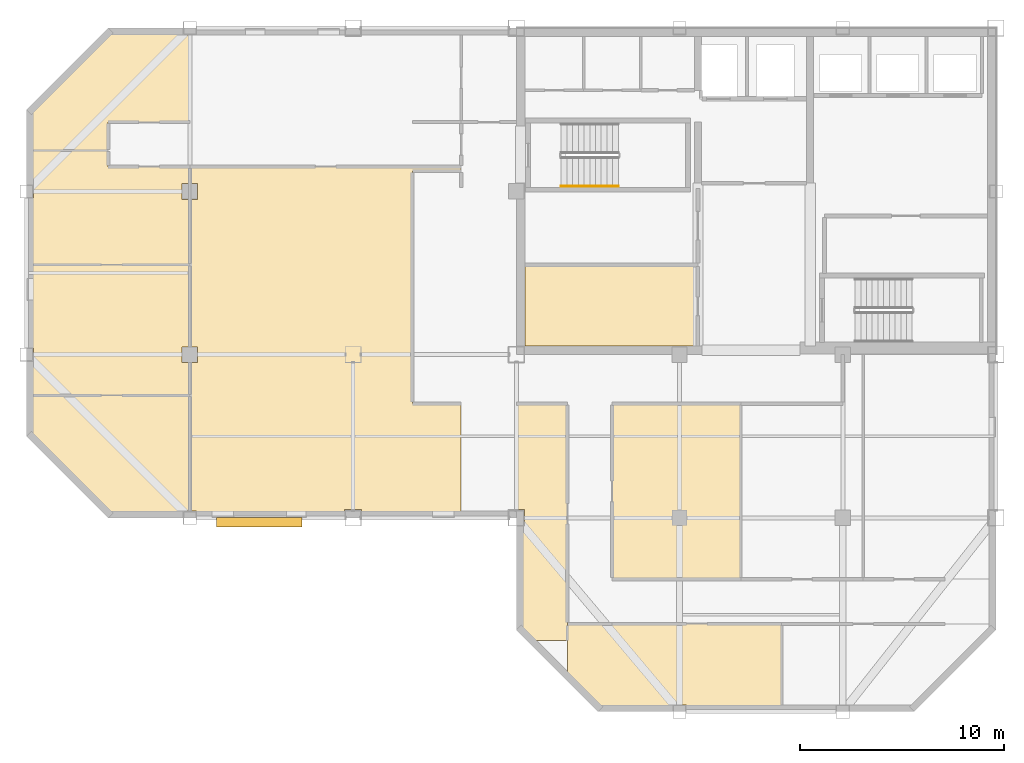
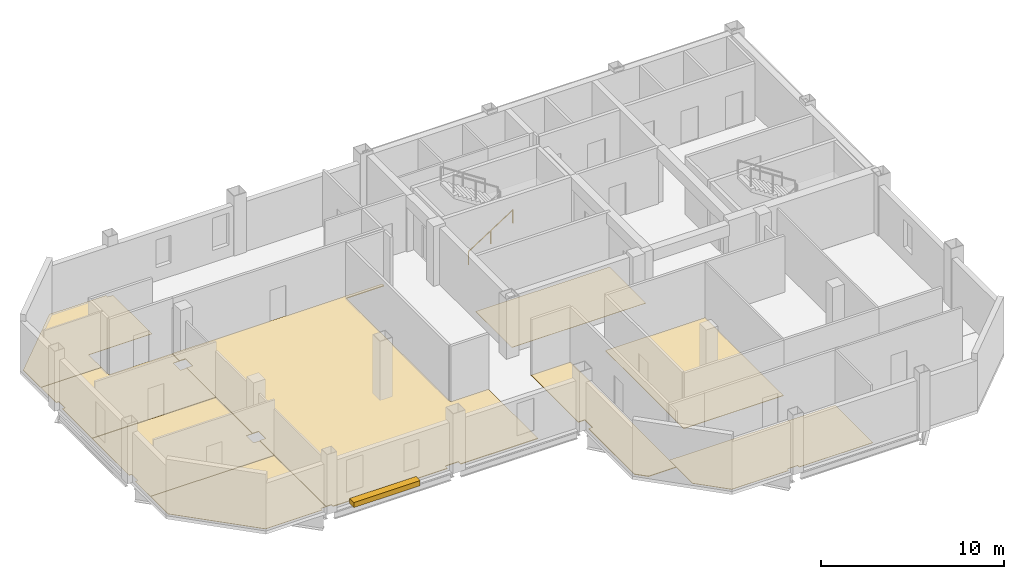
# One storey, part 5 of 7: 9 coverings, 1 railing, 1 shading device.
"""IFC4 building model written with IfcOpenShell, lengths in metres."""

from ifc_helpers import new_model, si_unit, direction, frame, origin, origin_2d, place, context, subcontext, project, spatial, polyline, rectangle, circle, outline, extrude, material, layer, layer_set, type_object, element, save


model = new_model("IFC4")

# Units and contexts
model_context = context("Model", 3, precision=1e-05, world=origin(), true_north=direction((0.0, 1.0)))
body_context = subcontext(model_context, "Body", "Model", "MODEL_VIEW")
ifc_project = project(units=[si_unit("LENGTHUNIT", "METRE"), si_unit("AREAUNIT", "SQUARE_METRE"), si_unit("VOLUMEUNIT", "CUBIC_METRE"), si_unit("PLANEANGLEUNIT", "RADIAN"), si_unit("MASSUNIT", "GRAM", prefix="KILO")], contexts=[model_context])

# Site, building, storey
site_placement = place(None, origin())
site = spatial("IfcSite", under=ifc_project, at=site_placement, CompositionType="ELEMENT")
building_placement = place(site_placement, origin())
building = spatial("IfcBuilding", under=site, at=building_placement, Name="Qianrong Seaharbour Tower", CompositionType="ELEMENT")
storey_placement = place(building_placement, frame((0.0, 0.0, 335.199951171875)))
storey = spatial("IfcBuildingStorey", under=building, at=storey_placement, Name="L81", CompositionType="ELEMENT", Elevation=335.199951171875)

# Coverings
ifc_material_1 = material(Name="Acoustic modular carpet tile flooring")
ifc_layer_1 = layer(ifc_material_1, 0.02001953125)
ifc_layer_set_1 = layer_set([ifc_layer_1], Name="Acoustic modular carpet tile flooring")
covering_type_1 = type_object("IfcCoveringType", Name="COV-FLOOR-CARPET-20", PredefinedType="FLOORING", material=ifc_layer_set_1)
covering_1_placement = place(storey_placement, origin())
element("IfcCovering", 1, at=covering_1_placement, inside=storey, type_object=covering_type_1, Name="L81 Corporate Archive Room Finish Flooring", PredefinedType="FLOORING", context=body_context, shape_type="SweptSolid", body=[
    extrude(outline(polyline([(49.39990234375, 40.39990234375), (49.39990234375, 36.419921875), (40.919921875, 36.419921875), (40.919921875, 40.39990234375), (49.39990234375, 40.39990234375)])), origin(), (0.0, 0.0, 1.0), 0.02001953125),
])
covering_2_placement = place(storey_placement, origin())
element("IfcCovering", 2, at=covering_2_placement, inside=storey, type_object=covering_type_1, Name="L81 Harbour Sunset Lounge 1 Finish Flooring", PredefinedType="FLOORING", context=body_context, shape_type="SweptSolid", body=[
    extrude(outline(polyline([(20.568359375, 28.1650390625), (16.6650390625, 32.068359375), (16.6650390625, 34.0), (24.5, 34.0), (24.5, 28.3349609375), (24.1650390625, 28.3349609375), (24.1650390625, 28.1650390625), (20.568359375, 28.1650390625)])), origin(), (0.0, 0.0, 1.0), 0.02001953125),
])
covering_3_placement = place(storey_placement, origin())
element("IfcCovering", 3, at=covering_3_placement, inside=storey, type_object=covering_type_1, Name="L81 Barista Coffee Pantry 2 Finish Flooring", PredefinedType="FLOORING", context=body_context, shape_type="SweptSolid", body=[
    extrude(outline(polyline([(16.6650390625, 34.0), (16.6650390625, 35.6650390625), (16.8349609375, 35.6650390625), (16.8349609375, 36.3349609375), (16.6650390625, 36.3349609375), (16.6650390625, 40.39990234375), (24.5, 40.39990234375), (24.5, 36.385009765625), (24.114990234375, 36.385009765625), (24.114990234375, 35.614990234375), (24.5, 35.614990234375), (24.5, 34.0), (16.6650390625, 34.0)])), origin(), (0.0, 0.0, 1.0), 0.02001953125),
])
covering_4_placement = place(storey_placement, origin())
element("IfcCovering", 4, at=covering_4_placement, inside=storey, type_object=covering_type_1, Name="L81 Quiet Sitting Lounge 4 Finish Flooring", PredefinedType="FLOORING", context=body_context, shape_type="SweptSolid", body=[
    extrude(outline(polyline([(16.6650390625, 47.931640625), (20.568359375, 51.8349609375), (24.1650390625, 51.8349609375), (24.1650390625, 51.6650390625), (24.5, 51.6650390625), (24.5, 47.39990234375), (20.5, 47.39990234375), (20.5, 46.0), (16.6650390625, 46.0), (16.6650390625, 47.931640625)])), origin(), (0.0, 0.0, 1.0), 0.02001953125),
])
covering_5_placement = place(storey_placement, origin())
element("IfcCovering", 5, at=covering_5_placement, inside=storey, type_object=covering_type_1, Name="L81 South View Lounge 1 Finish Flooring", PredefinedType="FLOORING", context=body_context, shape_type="SweptSolid", body=[
    extrude(outline(polyline([(53.5, 18.6650390625), (48.8349609375, 18.6650390625), (48.8349609375, 18.8349609375), (48.1650390625, 18.8349609375), (48.1650390625, 18.6650390625), (44.568359375, 18.6650390625), (43.0, 20.2333984375), (43.0, 22.800048828125), (53.5, 22.800048828125), (53.5, 18.6650390625)])), origin(), (0.0, 0.0, 1.0), 0.02001953125),
])
ifc_material_2 = material(Name="Honed granite stone flooring", Category="masonry")
ifc_layer_2 = layer(ifc_material_2, 0.030029296875)
ifc_layer_set_2 = layer_set([ifc_layer_2], Name="Honed granite stone flooring")
covering_type_2 = type_object("IfcCoveringType", Name="COV-FLOOR-GRANITE-30", PredefinedType="FLOORING", material=ifc_layer_set_2)
covering_6_placement = place(storey_placement, origin())
element("IfcCovering", 6, at=covering_6_placement, inside=storey, type_object=covering_type_2, Name="L81 Hospitality Dining Room 3 Finish Flooring", PredefinedType="FLOORING", context=body_context, shape_type="SweptSolid", body=[
    extrude(outline(polyline([(16.6650390625, 40.39990234375), (16.6650390625, 43.6650390625), (16.8349609375, 43.6650390625), (16.8349609375, 44.3349609375), (16.6650390625, 44.3349609375), (16.6650390625, 46.0), (20.5, 46.0), (20.5, 45.199951171875), (24.5, 45.199951171875), (24.5, 44.385009765625), (24.114990234375, 44.385009765625), (24.114990234375, 43.614990234375), (24.5, 43.614990234375), (24.5, 40.39990234375), (16.6650390625, 40.39990234375)])), origin(), (0.0, 0.0, 1.0), 0.030029296875),
])
covering_7_placement = place(storey_placement, origin())
element("IfcCovering", 7, at=covering_7_placement, inside=storey, type_object=covering_type_2, Name="L81 East Harbour Dining Salon 1 Finish Flooring", PredefinedType="FLOORING", context=body_context, shape_type="SweptSolid", body=[
    extrude(outline(polyline([(51.5, 33.60009765625), (51.5, 25.0), (45.199951171875, 25.0), (45.199951171875, 33.60009765625), (51.5, 33.60009765625)])), origin(), (0.0, 0.0, 1.0), 0.030029296875),
])
ifc_material_3 = material(Name="Calcium-sulphate raised access floor tile")
ifc_layer_3 = layer(ifc_material_3, 0.044921875)
ifc_layer_set_3 = layer_set([ifc_layer_3], Name="Calcium-sulphate raised access floor tile")
covering_type_3 = type_object("IfcCoveringType", Name="COV-FLOOR-RAISED-45", PredefinedType="FLOORING", material=ifc_layer_set_3)
covering_8_placement = place(storey_placement, origin())
element("IfcCovering", 8, at=covering_8_placement, inside=storey, type_object=covering_type_3, Name="L81 Central Spine Open-Plan Office Finish Flooring", PredefinedType="FLOORING", context=body_context, shape_type="SweptSolid", body=[
    extrude(outline(polyline([(24.5, 35.614990234375), (24.885009765625, 35.614990234375), (24.885009765625, 36.385009765625), (24.5, 36.385009765625), (24.5, 43.614990234375), (24.885009765625, 43.614990234375), (24.885009765625, 44.385009765625), (24.5, 44.385009765625), (24.5, 45.199951171875), (37.800048828125, 45.199951171875), (37.800048828125, 45.0), (35.39990234375, 45.0), (35.39990234375, 33.60009765625), (37.800048828125, 33.60009765625), (37.800048828125, 28.1650390625), (32.909912109375, 28.1650390625), (32.909912109375, 28.409912109375), (32.090087890625, 28.409912109375), (32.090087890625, 28.1650390625), (24.8349609375, 28.1650390625), (24.8349609375, 28.3349609375), (24.5, 28.3349609375), (24.5, 35.614990234375)])), origin(), (0.0, 0.0, 1.0), 0.045166015625),
])
covering_9_placement = place(storey_placement, origin())
element("IfcCovering", 9, at=covering_9_placement, inside=storey, type_object=covering_type_3, Name="L81 Concierge Office 2 Finish Flooring", PredefinedType="FLOORING", context=body_context, shape_type="SweptSolid", body=[
    extrude(outline(polyline([(43.0, 22.0), (41.2333984375, 22.0), (40.6650390625, 22.568359375), (40.6650390625, 27.590087890625), (40.909912109375, 27.590087890625), (40.909912109375, 28.409912109375), (40.5, 28.409912109375), (40.5, 33.60009765625), (43.0, 33.60009765625), (43.0, 22.0)])), origin(), (0.0, 0.0, 1.0), 0.045166015625),
])

# Railing
ifc_material_4 = material(Name="Stainless steel SUS316L continuous handrail", Category="steel")
railing_type = type_object("IfcRailingType", Name="RAIL-STAIR-HANDRAIL-900", PredefinedType="HANDRAIL", material=ifc_material_4)
railing_placement = place(storey_placement, frame((42.699951171875, 44.25, 0.181884765625)))
element("IfcRailing", 10, at=railing_placement, inside=storey, type_object=railing_type, Name="L81 ST-1 stair handrail 1", PredefinedType="HANDRAIL", context=body_context, shape_type="SweptSolid", body=[
    extrude(circle(Radius=0.02392578125, at=origin_2d()), frame((0.0, 0.0, 0.8759765625), z_axis=(0.838705829183, 0.0, 0.544584733623), x_axis=(0.0, 1.0, 0.0)), (0.0, 0.0, 1.0), 3.338623046875),
    extrude(circle(Radius=0.02099609375, at=origin_2d()), origin(), (0.0, 0.0, 1.0), 0.851806640625),
    extrude(circle(Radius=0.02099609375, at=origin_2d()), frame((1.39990234375, 0.0, 0.9091796875)), (0.0, 0.0, 1.0), 0.851806640625),
    extrude(circle(Radius=0.02099609375, at=origin_2d()), frame((2.800048828125, 0.0, 1.818115234375)), (0.0, 0.0, 1.0), 0.851806640625),
])

# Shading device
ifc_material_5 = material(Name="White architectural precast concrete C45/55", Category="concrete")
shading_device_type = type_object("IfcShadingDeviceType", Name="SHD-SUNSHADE-WHITE-320", PredefinedType="AWNING", material=ifc_material_5)
shading_device_placement = place(storey_placement, frame((27.89990234375, 27.780029296875, -0.02001953125), z_axis=(0.0, 0.0, 1.0), x_axis=(1.0, 0.0, 0.0)))
element("IfcShadingDevice", 11, at=shading_device_placement, inside=storey, type_object=shading_device_type, Name="L81 Climbing White Precast Ribbon Canopy Fin", PredefinedType="AWNING", context=body_context, shape_type="SweptSolid", body=[
    extrude(rectangle(XDim=4.199951171875, YDim=0.4599609375, at=origin_2d()), origin(), (0.0, 0.0, 1.0), 0.340087890625),
])

save(model, "model.ifc")
